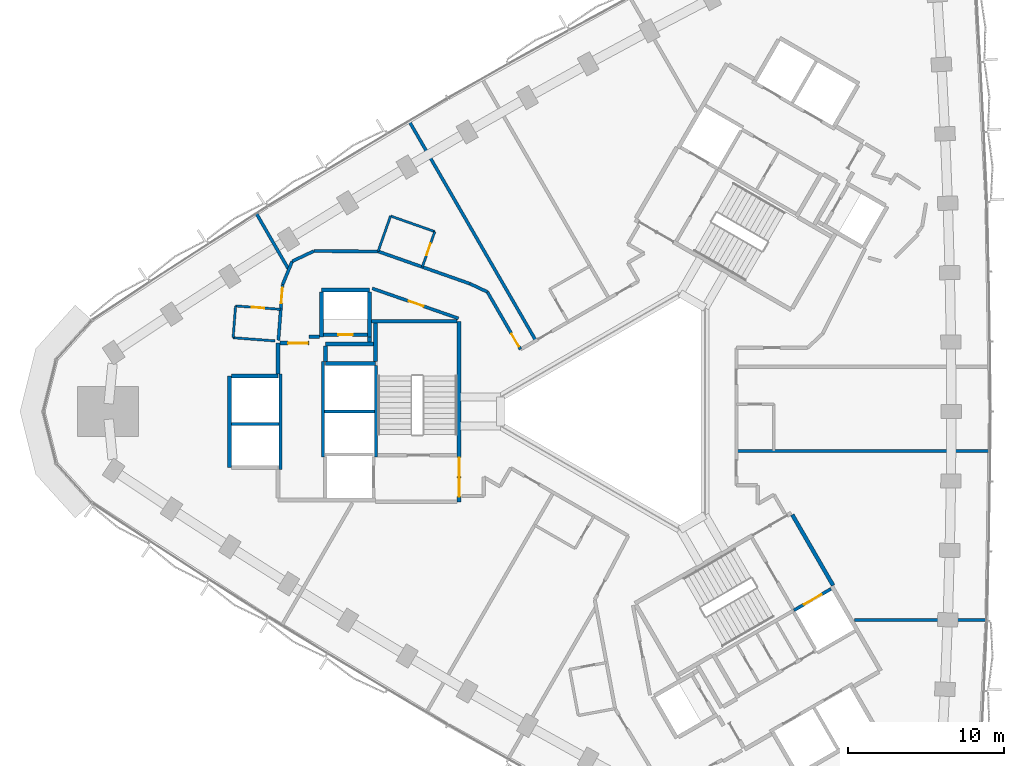
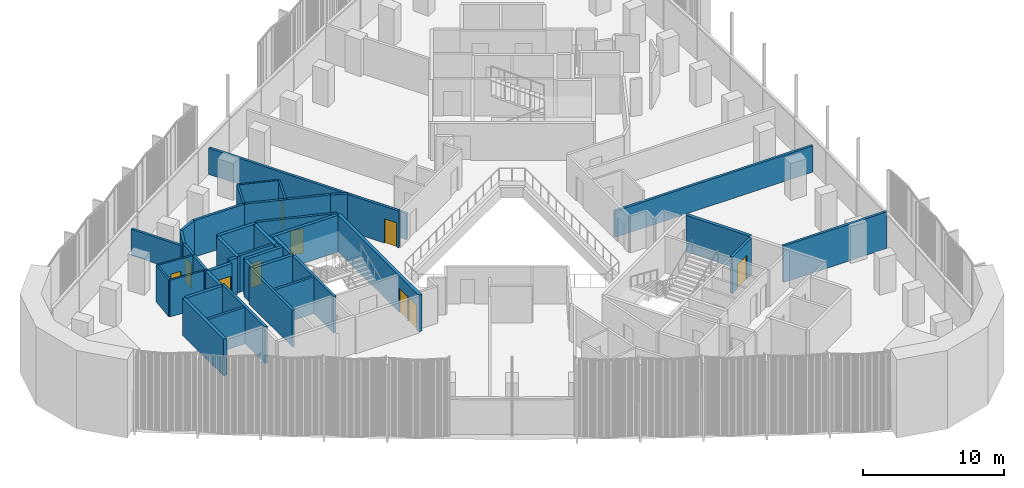
# One storey, part 9 of 15: 41 walls, 10 doors, 10 openings.
"""IFC4 building model written with IfcOpenShell, lengths in metres."""

from ifc_helpers import new_model, si_unit, direction, frame, frame_2d, origin, place, context, subcontext, project, spatial, rectangle, extrude, material, layer, layer_set, type_object, element, fill, save


model = new_model("IFC4")

# Units and contexts
model_context = context("Model", 3, precision=1e-05, world=origin(), true_north=direction((0.0, 1.0)))
body_context = subcontext(model_context, "Body", "Model", "MODEL_VIEW")
ifc_project = project(units=[si_unit("LENGTHUNIT", "METRE"), si_unit("AREAUNIT", "SQUARE_METRE"), si_unit("VOLUMEUNIT", "CUBIC_METRE"), si_unit("PLANEANGLEUNIT", "RADIAN"), si_unit("MASSUNIT", "GRAM", prefix="KILO")], contexts=[model_context])

# Site, building, storey
site_placement = place(None, origin())
site = spatial("IfcSite", under=ifc_project, at=site_placement, CompositionType="ELEMENT")
building_placement = place(site_placement, origin())
building = spatial("IfcBuilding", under=site, at=building_placement, Name="Tamra Quay Hotel Tower", CompositionType="ELEMENT")
storey_placement = place(building_placement, frame((0.0, 0.0, 90.199951171875)))
storey = spatial("IfcBuildingStorey", under=building, at=storey_placement, Name="L21", CompositionType="ELEMENT", Elevation=90.199951171875)

# Walls
ifc_material_1 = material(Name="Concrete M70", Category="concrete")
ifc_layer_1 = layer(ifc_material_1, 0.199951171875)
ifc_layer_set_1 = layer_set([ifc_layer_1], Name="Concrete M70 core wall 200")
wall_type_1 = type_object("IfcWallType", Name="Concrete M70 core wall 200", PredefinedType="SHEAR", material=ifc_layer_set_1)
wall_1_placement = place(storey_placement, frame((-16.162109375, 2.95068359375, 0.0), z_axis=(0.0, 0.0, 1.0), x_axis=(0.0, -1.0, 0.0)))
element("IfcWall", 1, at=wall_1_placement, inside=storey, type_object=wall_type_1, Name="CW2", PredefinedType="SHEAR", context=body_context, shape_type="SweptSolid", body=[
    extrude(rectangle(XDim=5.850830078125, YDim=0.199951171875, at=frame_2d((2.92529296875, 0.0))), origin(), (0.0, 0.0, 1.0), 3.175048828125),
])
for number, where, z_axis, x_axis, name in (
    (2, (-19.5625, -2.900146484375, 0.0), (0.0, 0.0, 1.0), (0.0, 1.0, 0.0), "CW2"),
    (3, (-22.26220703125, 2.400146484375, 0.0), (0.0, 0.0, 1.0), (0.0, -1.0, 0.0), "CW2"),
):
    element("IfcWall", number, at=place(storey_placement, frame(where, z_axis=z_axis, x_axis=x_axis)), inside=storey, type_object=wall_type_1, Name=name, PredefinedType="SHEAR", context=body_context, shape_type="SweptSolid", body=[
        extrude(rectangle(XDim=6.100341796875, YDim=0.199951171875, at=frame_2d((3.05029296875, 0.0))), origin(), (0.0, 0.0, 1.0), 3.175048828125),
    ])
wall_2_placement = place(storey_placement, frame((-16.26318359375, 0.0, 0.0), z_axis=(0.0, 0.0, 1.0), x_axis=(-1.0, 0.0, 0.0)))
element("IfcWall", 4, at=wall_2_placement, inside=storey, type_object=wall_type_1, Name="CW2", PredefinedType="SHEAR", context=body_context, shape_type="SweptSolid", body=[
    extrude(rectangle(XDim=3.1982421875, YDim=0.199951171875, at=frame_2d((1.59912109375, 0.0))), origin(), (0.0, 0.0, 1.0), 3.175048828125),
])
wall_3_placement = place(storey_placement, frame((-22.36328125, -0.800048828125, 0.0), z_axis=(0.0, 0.0, 1.0), x_axis=(-1.0, 0.0, 0.0)))
element("IfcWall", 5, at=wall_3_placement, inside=storey, type_object=wall_type_1, Name="CW2", PredefinedType="SHEAR", context=body_context, shape_type="SweptSolid", body=[
    extrude(rectangle(XDim=3.048095703125, YDim=0.199951171875, at=frame_2d((1.52392578125, 0.0))), origin(), (0.0, 0.0, 1.0), 3.175048828125),
])

# Wall, opening, door
wall_4_placement = place(storey_placement, frame((-19.51123046875, 4.91015625, 0.0), z_axis=(0.0, 0.0, 1.0), x_axis=(1.0, 0.0, 0.0)))
wall_4 = element("IfcWall", 6, at=wall_4_placement, inside=storey, type_object=wall_type_1, Name="CW2", PredefinedType="SHEAR", context=body_context, shape_type="SweptSolid", body=[
    extrude(rectangle(XDim=2.7978515625, YDim=0.199951171875, at=frame_2d((1.39892578125, 0.0))), origin(), (0.0, 0.0, 1.0), 3.175048828125),
])
opening_1_placement = place(wall_4_placement, frame((0.948974609375, 0.0, 0.0)))
opening_1 = element("IfcOpeningElement", 7, at=opening_1_placement, cuts=wall_4, Name="Opening D1", PredefinedType="OPENING", context=body_context, shape_type="SweptSolid", body=[
    extrude(rectangle(XDim=0.89990234375, YDim=2.10009765625, at=frame_2d((0.449951171875, 1.050048828125))), frame((0.0, 0.10986328125, 0.0), z_axis=(0.0, -1.0, 0.0), x_axis=(1.0, 0.0, 0.0)), (0.0, 0.0, 1.0), 0.219970703125),
])
ifc_material_2 = material(Name="Core door D1 900x2100 LH")
door_type_1 = type_object("IfcDoorType", Name="Core door D1 900x2100 LH", OperationType="NOTDEFINED", PredefinedType="DOOR", material=ifc_material_2)
door_1_placement = place(opening_1_placement, origin())
door_1 = element("IfcDoor", 8, at=door_1_placement, inside=storey, type_object=door_type_1, Name="D1", OperationType="SINGLE_SWING_LEFT", OverallHeight=2.10009765625, OverallWidth=0.89990234375, PredefinedType="DOOR", context=body_context, shape_type="SweptSolid", body=[
    extrude(rectangle(XDim=0.89990234375, YDim=2.10009765625, at=frame_2d((0.449951171875, 1.050048828125))), frame((0.0, 0.02490234375, 0.0), z_axis=(0.0, -1.0, 0.0), x_axis=(1.0, 0.0, 0.0)), (0.0, 0.0, 1.0), 0.050048828125),
])
fill(opening_1, door_1)

wall_5_placement = place(storey_placement, frame((10.587158203125, -12.72314453125, 0.0), z_axis=(0.0, 0.0, 1.0), x_axis=(0.866037306777, 0.499979382845, 0.0)))
wall_5 = element("IfcWall", 9, at=wall_5_placement, inside=storey, type_object=wall_type_1, Name="CW2", PredefinedType="SHEAR", context=body_context, shape_type="SweptSolid", body=[
    extrude(rectangle(XDim=2.74169921875, YDim=0.199951171875, at=frame_2d((1.370849609375, 0.0))), origin(), (0.0, 0.0, 1.0), 3.175048828125),
])
opening_2_placement = place(wall_5_placement, frame((0.742919921875, 0.0, 0.0)))
opening_2 = element("IfcOpeningElement", 10, at=opening_2_placement, cuts=wall_5, Name="Opening LD", PredefinedType="OPENING", context=body_context, shape_type="SweptSolid", body=[
    extrude(rectangle(XDim=1.300048828125, YDim=2.10009765625, at=frame_2d((0.64990234375, 1.050048828125))), frame((0.0, 0.10986328125, 0.0), z_axis=(0.0, -1.0, 0.0), x_axis=(1.0, 0.0, 0.0)), (0.0, 0.0, 1.0), 0.219970703125),
])
ifc_material_3 = material(Name="Landing door LD 1300 sliding to left")
door_type_2 = type_object("IfcDoorType", Name="Landing door LD 1300 sliding to left", OperationType="NOTDEFINED", PredefinedType="DOOR", material=ifc_material_3)
door_2_placement = place(opening_2_placement, origin())
door_2 = element("IfcDoor", 11, at=door_2_placement, inside=storey, type_object=door_type_2, Name="LD", OperationType="SLIDING_TO_LEFT", OverallHeight=2.10009765625, OverallWidth=1.300048828125, PredefinedType="DOOR", context=body_context, shape_type="SweptSolid", body=[
    extrude(rectangle(XDim=1.300048828125, YDim=2.10009765625, at=frame_2d((0.64990234375, 1.050048828125))), frame((0.0, 0.02490234375, 0.0), z_axis=(0.0, -1.0, 0.0), x_axis=(1.0, 0.0, 0.0)), (0.0, 0.0, 1.0), 0.050048828125),
])
fill(opening_2, door_2)

# Wall, openings, doors
ifc_layer_2 = layer(ifc_material_1, 0.25)
ifc_layer_set_2 = layer_set([ifc_layer_2], Name="Concrete M70 core wall 250")
wall_type_2 = type_object("IfcWallType", Name="Concrete M70 core wall 250", PredefinedType="SHEAR", material=ifc_layer_set_2)
wall_6_placement = place(storey_placement, frame((-10.83740234375, 5.77490234375, 0.0), z_axis=(0.0, 0.0, 1.0), x_axis=(0.0, -1.0, 0.0)))
wall_6 = element("IfcWall", 12, at=wall_6_placement, inside=storey, type_object=wall_type_2, Name="CW1", PredefinedType="SHEAR", context=body_context, shape_type="SweptSolid", body=[
    extrude(rectangle(XDim=11.5498046875, YDim=0.25, at=frame_2d((5.77490234375, 0.0))), origin(), (0.0, 0.0, 1.0), 3.175048828125),
])
opening_3_placement = place(wall_6_placement, frame((10.02490234375, 0.0, 0.0)))
opening_3 = element("IfcOpeningElement", 13, at=opening_3_placement, cuts=wall_6, Name="Opening FD1", PredefinedType="OPENING", context=body_context, shape_type="SweptSolid", body=[
    extrude(rectangle(XDim=1.199951171875, YDim=2.10009765625, at=frame_2d((0.60009765625, 1.050048828125))), frame((0.0, 0.135009765625, 0.0), z_axis=(0.0, -1.0, 0.0), x_axis=(1.0, 0.0, 0.0)), (0.0, 0.0, 1.0), 0.27001953125),
])
opening_4_placement = place(wall_6_placement, frame((8.72509765625, 0.0, 0.0)))
opening_4 = element("IfcOpeningElement", 14, at=opening_4_placement, cuts=wall_6, Name="Opening FD1", PredefinedType="OPENING", context=body_context, shape_type="SweptSolid", body=[
    extrude(rectangle(XDim=1.199951171875, YDim=2.10009765625, at=frame_2d((0.60009765625, 1.050048828125))), frame((0.0, 0.135009765625, 0.0), z_axis=(0.0, -1.0, 0.0), x_axis=(1.0, 0.0, 0.0)), (0.0, 0.0, 1.0), 0.27001953125),
])
ifc_material_4 = material(Name="Core door FD1 1200x2100 LH")
door_type_3 = type_object("IfcDoorType", Name="Core door FD1 1200x2100 LH", OperationType="NOTDEFINED", PredefinedType="DOOR", material=ifc_material_4)
door_3_placement = place(opening_3_placement, origin())
door_3 = element("IfcDoor", 15, at=door_3_placement, inside=storey, type_object=door_type_3, Name="FD1", OperationType="SINGLE_SWING_LEFT", OverallHeight=2.10009765625, OverallWidth=1.199951171875, PredefinedType="DOOR", context=body_context, shape_type="SweptSolid", body=[
    extrude(rectangle(XDim=1.199951171875, YDim=2.10009765625, at=frame_2d((0.60009765625, 1.050048828125))), frame((0.0, 0.02490234375, 0.0), z_axis=(0.0, -1.0, 0.0), x_axis=(1.0, 0.0, 0.0)), (0.0, 0.0, 1.0), 0.050048828125),
])
fill(opening_3, door_3)
ifc_material_5 = material(Name="Core door FD1 1200x2100 RH")
door_type_4 = type_object("IfcDoorType", Name="Core door FD1 1200x2100 RH", OperationType="NOTDEFINED", PredefinedType="DOOR", material=ifc_material_5)
door_4_placement = place(opening_4_placement, origin())
door_4 = element("IfcDoor", 16, at=door_4_placement, inside=storey, type_object=door_type_4, Name="FD1", OperationType="SINGLE_SWING_RIGHT", OverallHeight=2.10009765625, OverallWidth=1.199951171875, PredefinedType="DOOR", context=body_context, shape_type="SweptSolid", body=[
    extrude(rectangle(XDim=1.199951171875, YDim=2.10009765625, at=frame_2d((0.60009765625, 1.050048828125))), frame((0.0, 0.02490234375, 0.0), z_axis=(0.0, -1.0, 0.0), x_axis=(1.0, 0.0, 0.0)), (0.0, 0.0, 1.0), 0.050048828125),
])
fill(opening_4, door_4)

# Walls
wall_7_placement = place(storey_placement, frame((-25.537353515625, -3.574951171875, 0.0), z_axis=(0.0, 0.0, 1.0), x_axis=(0.0, 1.0, 0.0)))
element("IfcWall", 17, at=wall_7_placement, inside=storey, type_object=wall_type_2, Name="CW1", PredefinedType="SHEAR", context=body_context, shape_type="SweptSolid", body=[
    extrude(rectangle(XDim=5.849853515625, YDim=0.25, at=frame_2d((2.9248046875, 0.0))), origin(), (0.0, 0.0, 1.0), 3.175048828125),
])
wall_8_placement = place(storey_placement, frame((-16.47216796875, 5.77490234375, 0.0), z_axis=(0.0, 0.0, 1.0), x_axis=(1.0, 0.0, 0.0)))
element("IfcWall", 18, at=wall_8_placement, inside=storey, type_object=wall_type_2, Name="CW1", PredefinedType="SHEAR", context=body_context, shape_type="SweptSolid", body=[
    extrude(rectangle(XDim=5.509521484375, YDim=0.25, at=frame_2d((2.7548828125, 0.0))), origin(), (0.0, 0.0, 1.0), 3.175048828125),
])
wall_9_placement = place(storey_placement, frame((-19.38720703125, 3.074951171875, 0.0), z_axis=(0.0, 0.0, 1.0), x_axis=(1.0, 0.0, 0.0)))
element("IfcWall", 19, at=wall_9_placement, inside=storey, type_object=wall_type_2, Name="CW1", PredefinedType="SHEAR", context=body_context, shape_type="SweptSolid", body=[
    extrude(rectangle(XDim=3.199951171875, YDim=0.25, at=frame_2d((1.60009765625, 0.0))), origin(), (0.0, 0.0, 1.0), 3.175048828125),
])
wall_10_placement = place(storey_placement, frame((-25.411865234375, 2.27490234375, 0.0), z_axis=(0.0, 0.0, 1.0), x_axis=(1.0, 0.0, 0.0)))
element("IfcWall", 20, at=wall_10_placement, inside=storey, type_object=wall_type_2, Name="CW1", PredefinedType="SHEAR", context=body_context, shape_type="SweptSolid", body=[
    extrude(rectangle(XDim=2.974609375, YDim=0.25, at=frame_2d((1.4873046875, 0.0))), origin(), (0.0, 0.0, 1.0), 3.175048828125),
])
wall_11_placement = place(storey_placement, frame((-19.63720703125, 7.77490234375, 0.0), z_axis=(0.0, 0.0, 1.0), x_axis=(1.0, 0.0, 0.0)))
element("IfcWall", 21, at=wall_11_placement, inside=storey, type_object=wall_type_2, Name="CW1", PredefinedType="SHEAR", context=body_context, shape_type="SweptSolid", body=[
    extrude(rectangle(XDim=3.0498046875, YDim=0.25, at=frame_2d((1.52490234375, 0.0))), origin(), (0.0, 0.0, 1.0), 3.175048828125),
])
for number, where, z_axis, x_axis, name in (
    (22, (-16.58740234375, 7.649658203125, 0.0), (0.0, 0.0, 1.0), (0.0, -1.0, 0.0), "CW1"),
    (23, (-19.63720703125, 4.784912109375, 0.0), (0.0, 0.0, 1.0), (0.0, 1.0, 0.0), "CW1"),
):
    element("IfcWall", number, at=place(storey_placement, frame(where, z_axis=z_axis, x_axis=x_axis)), inside=storey, type_object=wall_type_2, Name=name, PredefinedType="SHEAR", context=body_context, shape_type="SweptSolid", body=[
        extrude(rectangle(XDim=2.86474609375, YDim=0.25, at=frame_2d((1.432373046875, 0.0))), origin(), (0.0, 0.0, 1.0), 3.175048828125),
    ])
wall_12_placement = place(storey_placement, frame((-16.30224609375, 4.31494140625, 0.0), z_axis=(0.0, 0.0, 1.0), x_axis=(-1.0, 0.0, 0.0)))
element("IfcWall", 24, at=wall_12_placement, inside=storey, type_object=wall_type_2, Name="CW1", PredefinedType="SHEAR", context=body_context, shape_type="SweptSolid", body=[
    extrude(rectangle(XDim=3.0849609375, YDim=0.25, at=frame_2d((1.54248046875, 0.0))), origin(), (0.0, 0.0, 1.0), 3.175048828125),
])
wall_13_placement = place(storey_placement, frame((-16.187255859375, 3.200439453125, 0.0), z_axis=(0.0, 0.0, 1.0), x_axis=(0.0, 1.0, 0.0)))
element("IfcWall", 25, at=wall_13_placement, inside=storey, type_object=wall_type_2, Name="CW1", PredefinedType="SHEAR", context=body_context, shape_type="SweptSolid", body=[
    extrude(rectangle(XDim=2.44921875, YDim=0.25, at=frame_2d((1.224609375, 0.0))), origin(), (0.0, 0.0, 1.0), 3.175048828125),
])
wall_14_placement = place(storey_placement, frame((-22.437255859375, 2.400390625, 0.0), z_axis=(0.0, 0.0, 1.0), x_axis=(0.0, 1.0, 0.0)))
element("IfcWall", 26, at=wall_14_placement, inside=storey, type_object=wall_type_2, Name="CW1", PredefinedType="SHEAR", context=body_context, shape_type="SweptSolid", body=[
    extrude(rectangle(XDim=1.974609375, YDim=0.25, at=frame_2d((0.9873046875, 0.0))), origin(), (0.0, 0.0, 1.0), 3.175048828125),
])

# Wall, opening, door
wall_15_placement = place(storey_placement, frame((-22.311767578125, 4.375, 0.0), z_axis=(0.0, 0.0, 1.0), x_axis=(1.0, 0.0, 0.0)))
wall_15 = element("IfcWall", 27, at=wall_15_placement, inside=storey, type_object=wall_type_2, Name="CW1", PredefinedType="SHEAR", context=body_context, shape_type="SweptSolid", body=[
    extrude(rectangle(XDim=1.864501953125, YDim=0.25, at=frame_2d((0.93212890625, 0.0))), origin(), (0.0, 0.0, 1.0), 3.175048828125),
])
opening_5_placement = place(wall_15_placement, frame((0.53466796875, 0.0, 0.0)))
opening_5 = element("IfcOpeningElement", 28, at=opening_5_placement, cuts=wall_15, Name="Opening FD3", PredefinedType="OPENING", context=body_context, shape_type="SweptSolid", body=[
    extrude(rectangle(XDim=1.25, YDim=2.10009765625, at=frame_2d((0.625, 1.050048828125))), frame((0.0, 0.135009765625, 0.0), z_axis=(0.0, -1.0, 0.0), x_axis=(1.0, 0.0, 0.0)), (0.0, 0.0, 1.0), 0.27001953125),
])
ifc_material_6 = material(Name="Core door FD3 1250x2100 LH")
door_type_5 = type_object("IfcDoorType", Name="Core door FD3 1250x2100 LH", OperationType="NOTDEFINED", PredefinedType="DOOR", material=ifc_material_6)
door_5_placement = place(opening_5_placement, origin())
door_5 = element("IfcDoor", 29, at=door_5_placement, inside=storey, type_object=door_type_5, Name="FD3", OperationType="SINGLE_SWING_LEFT", OverallHeight=2.10009765625, OverallWidth=1.25, PredefinedType="DOOR", context=body_context, shape_type="SweptSolid", body=[
    extrude(rectangle(XDim=1.25, YDim=2.10009765625, at=frame_2d((0.625, 1.050048828125))), frame((0.0, 0.02490234375, 0.0), z_axis=(0.0, -1.0, 0.0), x_axis=(1.0, 0.0, 0.0)), (0.0, 0.0, 1.0), 0.050048828125),
])
fill(opening_5, door_5)

# Walls
wall_16_placement = place(storey_placement, frame((-19.38720703125, 4.189697265625, 0.0), z_axis=(0.0, 0.0, 1.0), x_axis=(0.0, -1.0, 0.0)))
element("IfcWall", 30, at=wall_16_placement, inside=storey, type_object=wall_type_2, Name="CW1", PredefinedType="SHEAR", context=body_context, shape_type="SweptSolid", body=[
    extrude(rectangle(XDim=0.9892578125, YDim=0.25, at=frame_2d((0.49462890625, 0.0))), origin(), (0.0, 0.0, 1.0), 3.175048828125),
])
wall_17_placement = place(storey_placement, frame((-20.447265625, 4.784912109375, 0.0), z_axis=(0.0, 0.0, 1.0), x_axis=(1.0, 0.0, 0.0)))
element("IfcWall", 31, at=wall_17_placement, inside=storey, type_object=wall_type_2, Name="CW1", PredefinedType="SHEAR", context=body_context, shape_type="SweptSolid", body=[
    extrude(rectangle(XDim=0.6845703125, YDim=0.25, at=frame_2d((0.34228515625, 0.0))), origin(), (0.0, 0.0, 1.0), 3.175048828125),
])
wall_18_placement = place(storey_placement, frame((-16.577392578125, 4.784912109375, 0.0), z_axis=(0.0, 0.0, 1.0), x_axis=(0.0, -1.0, 0.0)))
element("IfcWall", 32, at=wall_18_placement, inside=storey, type_object=wall_type_2, Name="CW1", PredefinedType="SHEAR", context=body_context, shape_type="SweptSolid", body=[
    extrude(rectangle(XDim=0.344482421875, YDim=0.25, at=frame_2d((0.17236328125, 0.0))), origin(), (0.0, 0.0, 1.0), 3.175048828125),
])
wall_19_placement = place(storey_placement, frame((10.482666015625, -6.6064453125, 0.0), z_axis=(0.0, 0.0, 1.0), x_axis=(0.49999885962, -0.866026062182, 0.0)))
element("IfcWall", 33, at=wall_19_placement, inside=storey, type_object=wall_type_2, Name="CW1", PredefinedType="SHEAR", context=body_context, shape_type="SweptSolid", body=[
    extrude(rectangle(XDim=5.224609375, YDim=0.25, at=frame_2d((2.6123046875, 0.0))), origin(), (0.0, 0.0, 1.0), 3.175048828125),
])

# Wall, opening, door
ifc_material_7 = material(Name="Partition corridor wall")
ifc_layer_3 = layer(ifc_material_7, 0.199951171875)
ifc_layer_set_3 = layer_set([ifc_layer_3], Name="Partition corridor wall")
wall_type_3 = type_object("IfcWallType", Name="Partition corridor wall", PredefinedType="PARTITIONING", material=ifc_layer_set_3)
wall_20_placement = place(storey_placement, frame((-22.40625, 4.56005859375, 0.0), z_axis=(0.0, 0.0, 1.0), x_axis=(0.075763016136, 0.997125852331, 0.0)))
wall_20 = element("IfcWall", 34, at=wall_20_placement, inside=storey, type_object=wall_type_3, Name="W-C", PredefinedType="PARTITIONING", context=body_context, shape_type="SweptSolid", body=[
    extrude(rectangle(XDim=3.580078125, YDim=0.199951171875, at=frame_2d((1.7900390625, 0.0))), origin(), (0.0, 0.0, 1.0), 3.175048828125),
])
opening_6_placement = place(wall_20_placement, frame((2.38037109375, 0.0, 0.0)))
opening_6 = element("IfcOpeningElement", 35, at=opening_6_placement, cuts=wall_20, Name="Opening L21-D011", PredefinedType="OPENING", context=body_context, shape_type="SweptSolid", body=[
    extrude(rectangle(XDim=1.0, YDim=2.10009765625, at=frame_2d((0.5, 1.050048828125))), frame((0.0, 0.10986328125, 0.0), z_axis=(0.0, -1.0, 0.0), x_axis=(1.0, 0.0, 0.0)), (0.0, 0.0, 1.0), 0.219970703125),
])
ifc_material_8 = material(Name="Door guest room 1000x2100")
door_type_6 = type_object("IfcDoorType", Name="Door guest room 1000x2100", OperationType="NOTDEFINED", PredefinedType="DOOR", material=ifc_material_8)
door_6_placement = place(opening_6_placement, origin())
door_6 = element("IfcDoor", 36, at=door_6_placement, inside=storey, type_object=door_type_6, Name="L21-D011", OperationType="SINGLE_SWING_LEFT", OverallHeight=2.10009765625, OverallWidth=1.0, PredefinedType="DOOR", context=body_context, shape_type="SweptSolid", body=[
    extrude(rectangle(XDim=1.0, YDim=2.10009765625, at=frame_2d((0.5, 1.050048828125))), frame((0.0, 0.02490234375, 0.0), z_axis=(0.0, -1.0, 0.0), x_axis=(1.0, 0.0, 0.0)), (0.0, 0.0, 1.0), 0.050048828125),
])
fill(opening_6, door_6)

# Walls
wall_21_placement = place(storey_placement, frame((-22.13330078125, 8.13330078125, 0.0), z_axis=(0.0, 0.0, 1.0), x_axis=(0.382136457598, 0.924105907229, 0.0)))
element("IfcWall", 37, at=wall_21_placement, inside=storey, type_object=wall_type_3, Name="W-C", PredefinedType="PARTITIONING", context=body_context, shape_type="SweptSolid", body=[
    extrude(rectangle(XDim=1.602294921875, YDim=0.199951171875, at=frame_2d((0.80126953125, 0.0))), origin(), (0.0, 0.0, 1.0), 3.175048828125),
])
wall_22_placement = place(storey_placement, frame((-21.52099609375, 9.614013671875, 0.0), z_axis=(0.0, 0.0, 1.0), x_axis=(0.904083527367, 0.427355795028, 0.0)))
element("IfcWall", 38, at=wall_22_placement, inside=storey, type_object=wall_type_3, Name="W-C", PredefinedType="PARTITIONING", context=body_context, shape_type="SweptSolid", body=[
    extrude(rectangle(XDim=1.52294921875, YDim=0.199951171875, at=frame_2d((0.761474609375, 0.0))), origin(), (0.0, 0.0, 1.0), 3.175048828125),
])
wall_23_placement = place(storey_placement, frame((-20.14306640625, 10.26611328125, 0.0), z_axis=(0.0, 0.0, 1.0), x_axis=(0.999989297417, -0.004626559416, 0.0)))
element("IfcWall", 39, at=wall_23_placement, inside=storey, type_object=wall_type_3, Name="W-C", PredefinedType="PARTITIONING", context=body_context, shape_type="SweptSolid", body=[
    extrude(rectangle(XDim=4.115966796875, YDim=0.199951171875, at=frame_2d((2.05810546875, 0.0))), origin(), (0.0, 0.0, 1.0), 3.175048828125),
])

# Wall, opening, door
wall_24_placement = place(storey_placement, frame((-16.40234375, 7.879150390625, 0.0), z_axis=(0.0, 0.0, 1.0), x_axis=(0.94449961557, -0.328512520596, 0.0)))
wall_24 = element("IfcWall", 40, at=wall_24_placement, inside=storey, type_object=wall_type_3, Name="W-C", PredefinedType="PARTITIONING", context=body_context, shape_type="SweptSolid", body=[
    extrude(rectangle(XDim=5.842041015625, YDim=0.199951171875, at=frame_2d((2.9208984375, 0.0))), origin(), (0.0, 0.0, 1.0), 3.175048828125),
])
opening_7_placement = place(wall_24_placement, frame((2.47900390625, 0.0, 0.0)))
opening_7 = element("IfcOpeningElement", 41, at=opening_7_placement, cuts=wall_24, Name="Opening L21-D008", PredefinedType="OPENING", context=body_context, shape_type="SweptSolid", body=[
    extrude(rectangle(XDim=1.0, YDim=2.10009765625, at=frame_2d((0.5, 1.050048828125))), frame((0.0, 0.10986328125, 0.0), z_axis=(0.0, -1.0, 0.0), x_axis=(1.0, 0.0, 0.0)), (0.0, 0.0, 1.0), 0.219970703125),
])
door_7_placement = place(opening_7_placement, frame((1.0, 0.0, 0.0), z_axis=(0.0, 0.0, 1.0), x_axis=(-1.0, 0.0, 0.0)))
door_7 = element("IfcDoor", 42, at=door_7_placement, inside=storey, type_object=door_type_6, Name="L21-D008", OperationType="SINGLE_SWING_LEFT", OverallHeight=2.10009765625, OverallWidth=1.0, PredefinedType="DOOR", context=body_context, shape_type="SweptSolid", body=[
    extrude(rectangle(XDim=1.0, YDim=2.10009765625, at=frame_2d((0.5, 1.050048828125))), frame((0.0, 0.02490234375, 0.0), z_axis=(0.0, -1.0, 0.0), x_axis=(1.0, 0.0, 0.0)), (0.0, 0.0, 1.0), 0.050048828125),
])
fill(opening_7, door_7)

# Walls
wall_25_placement = place(storey_placement, frame((-16.026123046875, 10.246826171875, 0.0), z_axis=(0.0, 0.0, 1.0), x_axis=(0.943319426768, -0.331886214057, 0.0)))
element("IfcWall", 43, at=wall_25_placement, inside=storey, type_object=wall_type_3, Name="W-C", PredefinedType="PARTITIONING", context=body_context, shape_type="SweptSolid", body=[
    extrude(rectangle(XDim=6.236572265625, YDim=0.199951171875, at=frame_2d((3.1181640625, 0.0))), origin(), (0.0, 0.0, 1.0), 3.175048828125),
])
wall_26_placement = place(storey_placement, frame((-10.14306640625, 8.177001953125, 0.0), z_axis=(0.0, 0.0, 1.0), x_axis=(0.904033154172, -0.427462344726, 0.0)))
element("IfcWall", 44, at=wall_26_placement, inside=storey, type_object=wall_type_3, Name="W-C", PredefinedType="PARTITIONING", context=body_context, shape_type="SweptSolid", body=[
    extrude(rectangle(XDim=1.22802734375, YDim=0.199951171875, at=frame_2d((0.614013671875, 0.0))), origin(), (0.0, 0.0, 1.0), 3.175048828125),
])

# Wall, opening, door
wall_27_placement = place(storey_placement, frame((-9.032958984375, 7.652099609375, 0.0), z_axis=(0.0, 0.0, 1.0), x_axis=(0.500049463259, -0.865996844275, 0.0)))
wall_27 = element("IfcWall", 45, at=wall_27_placement, inside=storey, type_object=wall_type_3, Name="W-C", PredefinedType="PARTITIONING", context=body_context, shape_type="SweptSolid", body=[
    extrude(rectangle(XDim=4.24365234375, YDim=0.199951171875, at=frame_2d((2.121826171875, 0.0))), origin(), (0.0, 0.0, 1.0), 3.175048828125),
])
opening_8_placement = place(wall_27_placement, frame((3.093505859375, 0.0, 0.0)))
opening_8 = element("IfcOpeningElement", 46, at=opening_8_placement, cuts=wall_27, Name="Opening L21-D009", PredefinedType="OPENING", context=body_context, shape_type="SweptSolid", body=[
    extrude(rectangle(XDim=0.949951171875, YDim=2.10009765625, at=frame_2d((0.47509765625, 1.050048828125))), frame((0.0, 0.10986328125, 0.0), z_axis=(0.0, -1.0, 0.0), x_axis=(1.0, 0.0, 0.0)), (0.0, 0.0, 1.0), 0.219970703125),
])
ifc_material_9 = material(Name="Door guest room 950x2100")
door_type_7 = type_object("IfcDoorType", Name="Door guest room 950x2100", OperationType="NOTDEFINED", PredefinedType="DOOR", material=ifc_material_9)
door_8_placement = place(opening_8_placement, frame((0.949951171875, 0.0, 0.0), z_axis=(0.0, 0.0, 1.0), x_axis=(-1.0, 0.0, 0.0)))
door_8 = element("IfcDoor", 47, at=door_8_placement, inside=storey, type_object=door_type_7, Name="L21-D009", OperationType="SINGLE_SWING_LEFT", OverallHeight=2.10009765625, OverallWidth=0.949951171875, PredefinedType="DOOR", context=body_context, shape_type="SweptSolid", body=[
    extrude(rectangle(XDim=0.949951171875, YDim=2.10009765625, at=frame_2d((0.47509765625, 1.050048828125))), frame((0.0, 0.02490234375, 0.0), z_axis=(0.0, -1.0, 0.0), x_axis=(1.0, 0.0, 0.0)), (0.0, 0.0, 1.0), 0.050048828125),
])
fill(opening_8, door_8)

# Walls
ifc_material_10 = material(Name="Partition en-suite wall")
ifc_layer_4 = layer(ifc_material_10, 0.14990234375)
ifc_layer_set_4 = layer_set([ifc_layer_4], Name="Partition en-suite wall")
wall_type_4 = type_object("IfcWallType", Name="Partition en-suite wall", PredefinedType="PARTITIONING", material=ifc_layer_set_4)
wall_28_placement = place(storey_placement, frame((-25.303955078125, 4.72412109375, 0.0), z_axis=(0.0, 0.0, 1.0), x_axis=(0.07659566833, 0.99706223657, 0.0)))
element("IfcWall", 48, at=wall_28_placement, inside=storey, type_object=wall_type_4, Name="W-E", PredefinedType="PARTITIONING", context=body_context, shape_type="SweptSolid", body=[
    extrude(rectangle(XDim=2.036865234375, YDim=0.14990234375, at=frame_2d((1.0185546875, 0.0))), origin(), (0.0, 0.0, 1.0), 3.175048828125),
])
wall_29_placement = place(storey_placement, frame((-25.302001953125, 4.721923828125, 0.0), z_axis=(0.0, 0.0, 1.0), x_axis=(0.997091241798, -0.076217160338, 0.0)))
element("IfcWall", 49, at=wall_29_placement, inside=storey, type_object=wall_type_4, Name="W-E", PredefinedType="PARTITIONING", context=body_context, shape_type="SweptSolid", body=[
    extrude(rectangle(XDim=2.6875, YDim=0.14990234375, at=frame_2d((1.34375, 0.0))), origin(), (0.0, 0.0, 1.0), 3.175048828125),
])

# Wall, opening, door
wall_30_placement = place(storey_placement, frame((-25.14599609375, 6.757080078125, 0.0), z_axis=(0.0, 0.0, 1.0), x_axis=(0.997113667183, -0.075923215933, 0.0)))
wall_30 = element("IfcWall", 50, at=wall_30_placement, inside=storey, type_object=wall_type_4, Name="W-E", PredefinedType="PARTITIONING", context=body_context, shape_type="SweptSolid", body=[
    extrude(rectangle(XDim=2.897216796875, YDim=0.14990234375, at=frame_2d((1.44873046875, 0.0))), origin(), (0.0, 0.0, 1.0), 3.175048828125),
])
opening_9_placement = place(wall_30_placement, frame((1.047607421875, 0.0, 0.0)))
opening_9 = element("IfcOpeningElement", 51, at=opening_9_placement, cuts=wall_30, Name="Opening L21-D012", PredefinedType="OPENING", context=body_context, shape_type="SweptSolid", body=[
    extrude(rectangle(XDim=0.800048828125, YDim=2.10009765625, at=frame_2d((0.39990234375, 1.050048828125))), frame((0.0, 0.0849609375, 0.0), z_axis=(0.0, -1.0, 0.0), x_axis=(1.0, 0.0, 0.0)), (0.0, 0.0, 1.0), 0.169921875),
])
ifc_material_11 = material(Name="Door en-suite 800x2100")
door_type_8 = type_object("IfcDoorType", Name="Door en-suite 800x2100", OperationType="NOTDEFINED", PredefinedType="DOOR", material=ifc_material_11)
door_9_placement = place(opening_9_placement, frame((0.800048828125, 0.0, 0.0), z_axis=(0.0, 0.0, 1.0), x_axis=(-1.0, 0.0, 0.0)))
door_9 = element("IfcDoor", 52, at=door_9_placement, inside=storey, type_object=door_type_8, Name="L21-D012", OperationType="SINGLE_SWING_LEFT", OverallHeight=2.10009765625, OverallWidth=0.800048828125, PredefinedType="DOOR", context=body_context, shape_type="SweptSolid", body=[
    extrude(rectangle(XDim=0.800048828125, YDim=2.10009765625, at=frame_2d((0.39990234375, 1.050048828125))), frame((0.0, 0.02490234375, 0.0), z_axis=(0.0, -1.0, 0.0), x_axis=(1.0, 0.0, 0.0)), (0.0, 0.0, 1.0), 0.050048828125),
])
fill(opening_9, door_9)

# Walls
wall_31_placement = place(storey_placement, frame((-16.02587890625, 10.2470703125, 0.0), z_axis=(0.0, 0.0, 1.0), x_axis=(0.332021869032, 0.943271688584, 0.0)))
element("IfcWall", 53, at=wall_31_placement, inside=storey, type_object=wall_type_4, Name="W-E", PredefinedType="PARTITIONING", context=body_context, shape_type="SweptSolid", body=[
    extrude(rectangle(XDim=2.400146484375, YDim=0.14990234375, at=frame_2d((1.2001953125, 0.0))), origin(), (0.0, 0.0, 1.0), 3.175048828125),
])
wall_32_placement = place(storey_placement, frame((-15.22900390625, 12.510986328125, 0.0), z_axis=(0.0, 0.0, 1.0), x_axis=(0.943278416238, -0.332002755198, 0.0)))
element("IfcWall", 54, at=wall_32_placement, inside=storey, type_object=wall_type_4, Name="W-E", PredefinedType="PARTITIONING", context=body_context, shape_type="SweptSolid", body=[
    extrude(rectangle(XDim=3.000244140625, YDim=0.14990234375, at=frame_2d((1.5, 0.0))), origin(), (0.0, 0.0, 1.0), 3.175048828125),
])

# Wall, opening, door
wall_33_placement = place(storey_placement, frame((-13.196044921875, 9.2509765625, 0.0), z_axis=(0.0, 0.0, 1.0), x_axis=(0.332112373108, 0.943239827207, 0.0)))
wall_33 = element("IfcWall", 55, at=wall_33_placement, inside=storey, type_object=wall_type_4, Name="W-E", PredefinedType="PARTITIONING", context=body_context, shape_type="SweptSolid", body=[
    extrude(rectangle(XDim=2.400146484375, YDim=0.14990234375, at=frame_2d((1.2001953125, 0.0))), origin(), (0.0, 0.0, 1.0), 3.175048828125),
])
opening_10_placement = place(wall_33_placement, frame((0.800048828125, 0.0, 0.0)))
opening_10 = element("IfcOpeningElement", 56, at=opening_10_placement, cuts=wall_33, Name="Opening L21-D010", PredefinedType="OPENING", context=body_context, shape_type="SweptSolid", body=[
    extrude(rectangle(XDim=0.800048828125, YDim=2.10009765625, at=frame_2d((0.39990234375, 1.050048828125))), frame((0.0, 0.0849609375, 0.0), z_axis=(0.0, -1.0, 0.0), x_axis=(1.0, 0.0, 0.0)), (0.0, 0.0, 1.0), 0.169921875),
])
door_10_placement = place(opening_10_placement, origin())
door_10 = element("IfcDoor", 57, at=door_10_placement, inside=storey, type_object=door_type_8, Name="L21-D010", OperationType="SINGLE_SWING_LEFT", OverallHeight=2.10009765625, OverallWidth=0.800048828125, PredefinedType="DOOR", context=body_context, shape_type="SweptSolid", body=[
    extrude(rectangle(XDim=0.800048828125, YDim=2.10009765625, at=frame_2d((0.39990234375, 1.050048828125))), frame((0.0, 0.02490234375, 0.0), z_axis=(0.0, -1.0, 0.0), x_axis=(1.0, 0.0, 0.0)), (0.0, 0.0, 1.0), 0.050048828125),
])
fill(opening_10, door_10)

# Walls
ifc_material_12 = material(Name="Partition party wall")
ifc_layer_5 = layer(ifc_material_12, 0.199951171875)
ifc_layer_set_5 = layer_set([ifc_layer_5], Name="Partition party wall")
wall_type_5 = type_object("IfcWallType", Name="Partition party wall", PredefinedType="PARTITIONING", material=ifc_layer_set_5)
wall_34_placement = place(storey_placement, frame((-23.811767578125, 12.666259765625, 0.0), z_axis=(0.0, 0.0, 1.0), x_axis=(0.499982807329, -0.86603532975, 0.0)))
element("IfcWall", 58, at=wall_34_placement, inside=storey, type_object=wall_type_5, Name="W-P", PredefinedType="PARTITIONING", context=body_context, shape_type="SweptSolid", body=[
    extrude(rectangle(XDim=4.139892578125, YDim=0.199951171875, at=frame_2d((2.06982421875, 0.0))), origin(), (0.0, 0.0, 1.0), 2.275146484375),
])
wall_35_placement = place(storey_placement, frame((-14.04541015625, 18.591552734375, 0.0), z_axis=(0.0, 0.0, 1.0), x_axis=(0.499991242065, -0.866030460122, 0.0)))
element("IfcWall", 59, at=wall_35_placement, inside=storey, type_object=wall_type_5, Name="W-P", PredefinedType="PARTITIONING", context=body_context, shape_type="SweptSolid", body=[
    extrude(rectangle(XDim=16.222900390625, YDim=0.199951171875, at=frame_2d((8.111328125, 0.0))), origin(), (0.0, 0.0, 1.0), 2.275146484375),
])
wall_36_placement = place(storey_placement, frame((6.90087890625, -2.531982421875, 0.0), z_axis=(0.0, 0.0, 1.0), x_axis=(1.0, 0.0, 0.0)))
element("IfcWall", 60, at=wall_36_placement, inside=storey, type_object=wall_type_5, Name="W-P", PredefinedType="PARTITIONING", context=body_context, shape_type="SweptSolid", body=[
    extrude(rectangle(XDim=16.224365234375, YDim=0.199951171875, at=frame_2d((8.1123046875, 0.0))), origin(), (0.0, 0.0, 1.0), 2.275146484375),
])
wall_37_placement = place(storey_placement, frame((14.4638671875, -13.33203125, 0.0), z_axis=(0.0, 0.0, 1.0), x_axis=(1.0, 0.0, 0.0)))
element("IfcWall", 61, at=wall_37_placement, inside=storey, type_object=wall_type_5, Name="W-P", PredefinedType="PARTITIONING", context=body_context, shape_type="SweptSolid", body=[
    extrude(rectangle(XDim=8.448486328125, YDim=0.199951171875, at=frame_2d((4.22412109375, 0.0))), origin(), (0.0, 0.0, 1.0), 3.175048828125),
])

save(model, "model.ifc")
